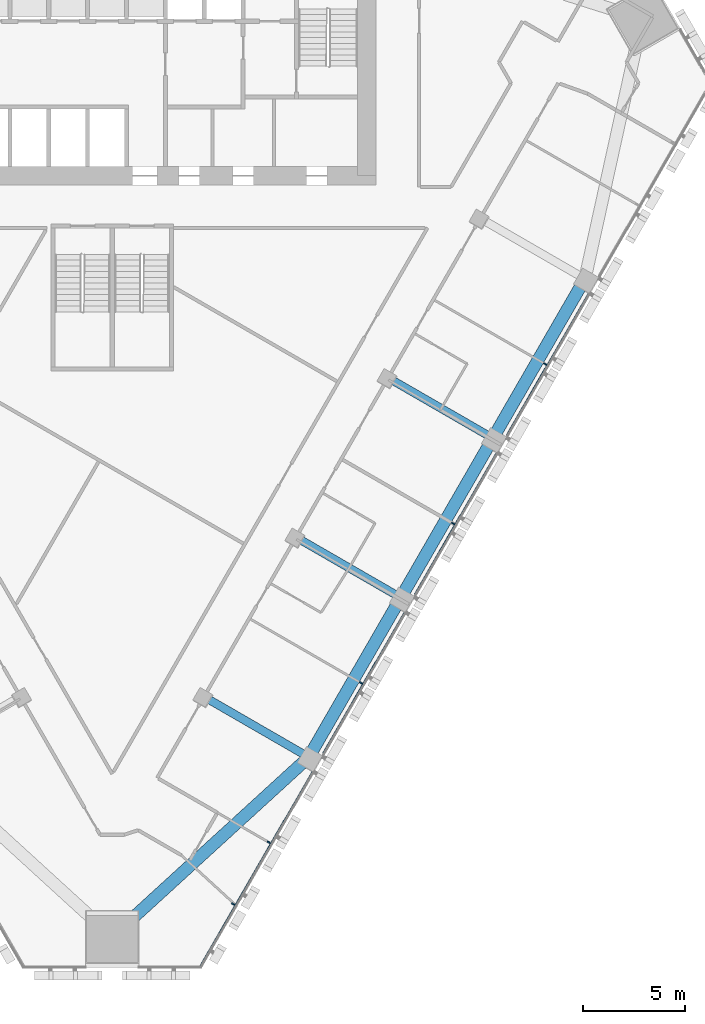
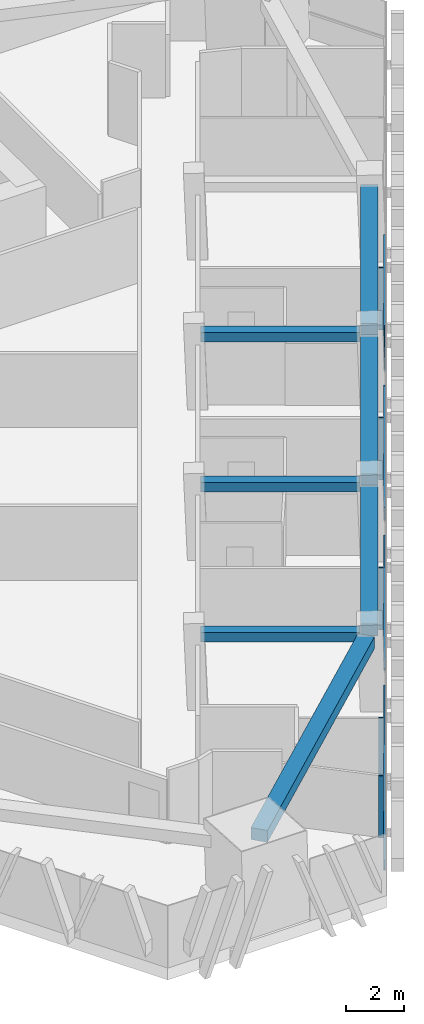
# One storey, part 4 of 16: 9 members, 7 beams, 1 element without a shape of its own.
"""IFC4 building model written with IfcOpenShell, lengths in metres."""

from ifc_helpers import new_model, si_unit, direction, frame, origin, origin_2d, place, context, subcontext, project, spatial, rectangle, extrude, material, layer, layer_set, material_profile, profile_set, type_object, element, aggregate, save


model = new_model("IFC4")

# Units and contexts
model_context = context("Model", 3, precision=1e-05, world=origin(), true_north=direction((0.0, 1.0)))
body_context = subcontext(model_context, "Body", "Model", "MODEL_VIEW")
ifc_project = project(units=[si_unit("LENGTHUNIT", "METRE"), si_unit("AREAUNIT", "SQUARE_METRE"), si_unit("VOLUMEUNIT", "CUBIC_METRE"), si_unit("PLANEANGLEUNIT", "RADIAN"), si_unit("MASSUNIT", "GRAM", prefix="KILO")], contexts=[model_context])

# Site, building, storey
site_placement = place(None, origin())
site = spatial("IfcSite", under=ifc_project, at=site_placement, CompositionType="ELEMENT")
building_placement = place(site_placement, origin())
building = spatial("IfcBuilding", under=site, at=building_placement, Name="Altiplano Prism Tower", CompositionType="ELEMENT")
storey_placement = place(building_placement, frame((0.0, 0.0, 88.199951171875)))
storey = spatial("IfcBuildingStorey", under=building, at=storey_placement, Name="L22", CompositionType="ELEMENT", Elevation=88.199951171875)

# Curtain wall, members
ifc_material_1 = material(Name="Aluminium and glass", Category="aluminium")
ifc_layer = layer(ifc_material_1, 0.280029296875)
ifc_layer_set = layer_set([ifc_layer], Name="Aluminium and glass")
curtain_wall_type = type_object("IfcCurtainWallType", Name="CW1 typical co-living unitised curtain wall", PredefinedType="NOTDEFINED", material=ifc_layer_set)
curtain_wall_placement = place(storey_placement, origin())
curtain_wall = element("IfcCurtainWall", 1, at=curtain_wall_placement, inside=storey, type_object=curtain_wall_type, Name="CW1 curtain wall south-east face L22", PredefinedType="NOTDEFINED")
ifc_material_2 = material(Name="Aluminium", Category="aluminium")
ifc_material_profile_1 = material_profile(ifc_material_2, rectangle(XDim=0.179931640625, YDim=0.06494140625, at=origin_2d()), Name="CW1 mullion 65 x 180")
ifc_profile_set_1 = profile_set([ifc_material_profile_1], Name="Aluminium")
member_type_1 = type_object("IfcMemberType", Name="CW1 mullion 65 x 180", PredefinedType="MULLION", material=ifc_profile_set_1)
member_1_placement = place(storey_placement, frame((90.921630859375, 57.34716796875, 0.0), z_axis=(0.0, 0.0, 1.0), x_axis=(-0.866025398243, 0.500000009598, 0.0)))
member_1 = element("IfcMember", 2, at=member_1_placement, type_object=member_type_1, Name="CW1 mullion", PredefinedType="MULLION", context=body_context, shape_type="SweptSolid", body=[
    extrude(rectangle(XDim=0.179931640625, YDim=0.06494140625, at=origin_2d()), origin(), (0.0, 0.0, 1.0), 2.60009765625),
])
member_2_placement = place(storey_placement, frame((92.662109375, 60.36181640625, 0.0), z_axis=(0.0, 0.0, 1.0), x_axis=(-0.866025398243, 0.500000009598, 0.0)))
member_2 = element("IfcMember", 3, at=member_2_placement, type_object=member_type_1, Name="CW1 mullion", PredefinedType="MULLION", context=body_context, shape_type="SweptSolid", body=[
    extrude(rectangle(XDim=0.179931640625, YDim=0.06494140625, at=origin_2d()), origin(), (0.0, 0.0, 1.0), 2.60009765625),
])
member_3_placement = place(storey_placement, frame((97.162109375, 68.156005859375, 0.0), z_axis=(0.0, 0.0, 1.0), x_axis=(-0.866025398243, 0.500000009598, 0.0)))
member_3 = element("IfcMember", 4, at=member_3_placement, type_object=member_type_1, Name="CW1 mullion", PredefinedType="MULLION", context=body_context, shape_type="SweptSolid", body=[
    extrude(rectangle(XDim=0.179931640625, YDim=0.06494140625, at=origin_2d()), origin(), (0.0, 0.0, 1.0), 2.60009765625),
])
member_4_placement = place(storey_placement, frame((101.662109375, 75.9501953125, 0.0), z_axis=(0.0, 0.0, 1.0), x_axis=(-0.866025398243, 0.500000009598, 0.0)))
member_4 = element("IfcMember", 5, at=member_4_placement, type_object=member_type_1, Name="CW1 mullion", PredefinedType="MULLION", context=body_context, shape_type="SweptSolid", body=[
    extrude(rectangle(XDim=0.179931640625, YDim=0.06494140625, at=origin_2d()), origin(), (0.0, 0.0, 1.0), 2.60009765625),
])
member_5_placement = place(storey_placement, frame((106.162109375, 83.74462890625, 0.0), z_axis=(0.0, 0.0, 1.0), x_axis=(-0.866025398243, 0.500000009598, 0.0)))
member_5 = element("IfcMember", 6, at=member_5_placement, type_object=member_type_1, Name="CW1 mullion", PredefinedType="MULLION", context=body_context, shape_type="SweptSolid", body=[
    extrude(rectangle(XDim=0.179931640625, YDim=0.06494140625, at=origin_2d()), origin(), (0.0, 0.0, 1.0), 2.60009765625),
])
ifc_material_profile_2 = material_profile(ifc_material_2, rectangle(XDim=0.06005859375, YDim=0.080078125, at=origin_2d()), Name="CW1 transom 80 x 60")
ifc_profile_set_2 = profile_set([ifc_material_profile_2], Name="Aluminium")
member_type_2 = type_object("IfcMemberType", Name="CW1 transom 80 x 60", PredefinedType="USERDEFINED", material=ifc_profile_set_2)
member_6_placement = place(storey_placement, frame((89.28515625, 54.272705078125, 1.10009765625), z_axis=(0.5000045869, 0.86602275552, 0.0), x_axis=(-0.86602275552, 0.5000045869, 0.0)))
member_6 = element("IfcMember", 7, at=member_6_placement, type_object=member_type_2, Name="CW1 transom", ObjectType="TRANSOM", PredefinedType="USERDEFINED", context=body_context, shape_type="SweptSolid", body=[
    extrude(rectangle(XDim=0.06005859375, YDim=0.080078125, at=origin_2d()), origin(), (0.0, 0.0, 1.0), 11.01123046875),
])
member_7_placement = place(storey_placement, frame((95.28076171875, 64.657470703125, 1.10009765625), z_axis=(0.500012318566, 0.86601829154, 0.0), x_axis=(-0.86601829154, 0.500012318566, 0.0)))
member_7 = element("IfcMember", 8, at=member_7_placement, type_object=member_type_2, Name="CW1 transom", ObjectType="TRANSOM", PredefinedType="USERDEFINED", context=body_context, shape_type="SweptSolid", body=[
    extrude(rectangle(XDim=0.06005859375, YDim=0.080078125, at=origin_2d()), origin(), (0.0, 0.0, 1.0), 8.019775390625),
])
member_8_placement = place(storey_placement, frame((99.78076171875, 72.45166015625, 1.10009765625), z_axis=(0.500012318566, 0.86601829154, 0.0), x_axis=(-0.86601829154, 0.500012318566, 0.0)))
member_8 = element("IfcMember", 9, at=member_8_placement, type_object=member_type_2, Name="CW1 transom", ObjectType="TRANSOM", PredefinedType="USERDEFINED", context=body_context, shape_type="SweptSolid", body=[
    extrude(rectangle(XDim=0.06005859375, YDim=0.080078125, at=origin_2d()), origin(), (0.0, 0.0, 1.0), 8.019775390625),
])
member_9_placement = place(storey_placement, frame((104.28076171875, 80.245849609375, 1.10009765625), z_axis=(0.499999136801, 0.866025902152, 0.0), x_axis=(-0.866025902152, 0.499999136801, 0.0)))
member_9 = element("IfcMember", 10, at=member_9_placement, type_object=member_type_2, Name="CW1 transom", ObjectType="TRANSOM", PredefinedType="USERDEFINED", context=body_context, shape_type="SweptSolid", body=[
    extrude(rectangle(XDim=0.06005859375, YDim=0.080078125, at=origin_2d()), origin(), (0.0, 0.0, 1.0), 8.02001953125),
])
aggregate(curtain_wall, [member_1, member_2, member_6, member_3, member_7, member_4, member_8, member_5, member_9])

# Beams
ifc_material_3 = material(Name="Concrete C60/75", Category="concrete")
ifc_material_profile_3 = material_profile(ifc_material_3, rectangle(XDim=0.60009765625, YDim=0.5, at=origin_2d()), Name="Edge beam 600x500")
ifc_profile_set_3 = profile_set([ifc_material_profile_3], Name="Concrete C60/75")
beam_type_1 = type_object("IfcBeamType", Name="Edge beam 600x500", PredefinedType="SPANDREL", material=ifc_profile_set_3)
beam_1_placement = place(storey_placement, frame((85.332275390625, 56.0517578125, 2.85009765625), z_axis=(0.738188083845, 0.674594954672, 0.0), x_axis=(-0.674594954672, 0.738188083845, 0.0)))
element("IfcBeam", 11, at=beam_1_placement, inside=storey, type_object=beam_type_1, Name="Edge beam M1-P21 L23", PredefinedType="SPANDREL", context=body_context, shape_type="SweptSolid", body=[
    extrude(rectangle(XDim=0.60009765625, YDim=0.5, at=origin_2d()), origin(), (0.0, 0.0, 1.0), 12.212158203125),
])
for number, where, z_axis, x_axis, name in (
    (12, (94.77197265625, 64.813232421875, 2.85009765625), (0.499992746786, 0.866029591389, 0.0), (-0.866029591389, 0.499992746786, 0.0), "Edge beam P21-P22 L23"),
    (13, (99.27197265625, 72.607421875, 2.85009765625), (0.499992746786, 0.866029591389, 0.0), (-0.866029591389, 0.499992746786, 0.0), "Edge beam P22-P23 L23"),
    (14, (103.77197265625, 80.401611328125, 2.85009765625), (0.499992746786, 0.866029591389, 0.0), (-0.866029591389, 0.499992746786, 0.0), "Edge beam P23-P24 L23"),
):
    element("IfcBeam", number, at=place(storey_placement, frame(where, z_axis=z_axis, x_axis=x_axis)), inside=storey, type_object=beam_type_1, Name=name, PredefinedType="SPANDREL", context=body_context, shape_type="SweptSolid", body=[
        extrude(rectangle(XDim=0.60009765625, YDim=0.5, at=origin_2d()), origin(), (0.0, 0.0, 1.0), 8.33984375),
    ])
ifc_material_profile_4 = material_profile(ifc_material_3, rectangle(XDim=0.39990234375, YDim=0.39990234375, at=origin_2d()), Name="Tie beam 400x400")
ifc_profile_set_4 = profile_set([ifc_material_profile_4], Name="Concrete C60/75")
beam_type_2 = type_object("IfcBeamType", Name="Tie beam 400x400", PredefinedType="BEAM", material=ifc_profile_set_4)
beam_2_placement = place(storey_placement, frame((89.566650390625, 67.4375, 2.900146484375), z_axis=(0.866023410697, -0.500003452112, 0.0), x_axis=(0.500003452112, 0.866023410697, 0.0)))
element("IfcBeam", 15, at=beam_2_placement, inside=storey, type_object=beam_type_2, Name="Tie beam I21 L23", PredefinedType="BEAM", context=body_context, shape_type="SweptSolid", body=[
    extrude(rectangle(XDim=0.39990234375, YDim=0.39990234375, at=origin_2d()), origin(), (0.0, 0.0, 1.0), 5.490234375),
])
for number, where, z_axis, x_axis, name in (
    (16, (94.066650390625, 75.231689453125, 2.900146484375), (0.866042665983, -0.499970099802, 0.0), (0.499970099802, 0.866042665983, 0.0), "Tie beam I22 L23"),
    (17, (98.566650390625, 83.02587890625, 2.900146484375), (0.866042665983, -0.499970099802, 0.0), (0.499970099802, 0.866042665983, 0.0), "Tie beam I23 L23"),
):
    element("IfcBeam", number, at=place(storey_placement, frame(where, z_axis=z_axis, x_axis=x_axis)), inside=storey, type_object=beam_type_2, Name=name, PredefinedType="BEAM", context=body_context, shape_type="SweptSolid", body=[
        extrude(rectangle(XDim=0.39990234375, YDim=0.39990234375, at=origin_2d()), origin(), (0.0, 0.0, 1.0), 5.489990234375),
    ])

save(model, "model.ifc")
